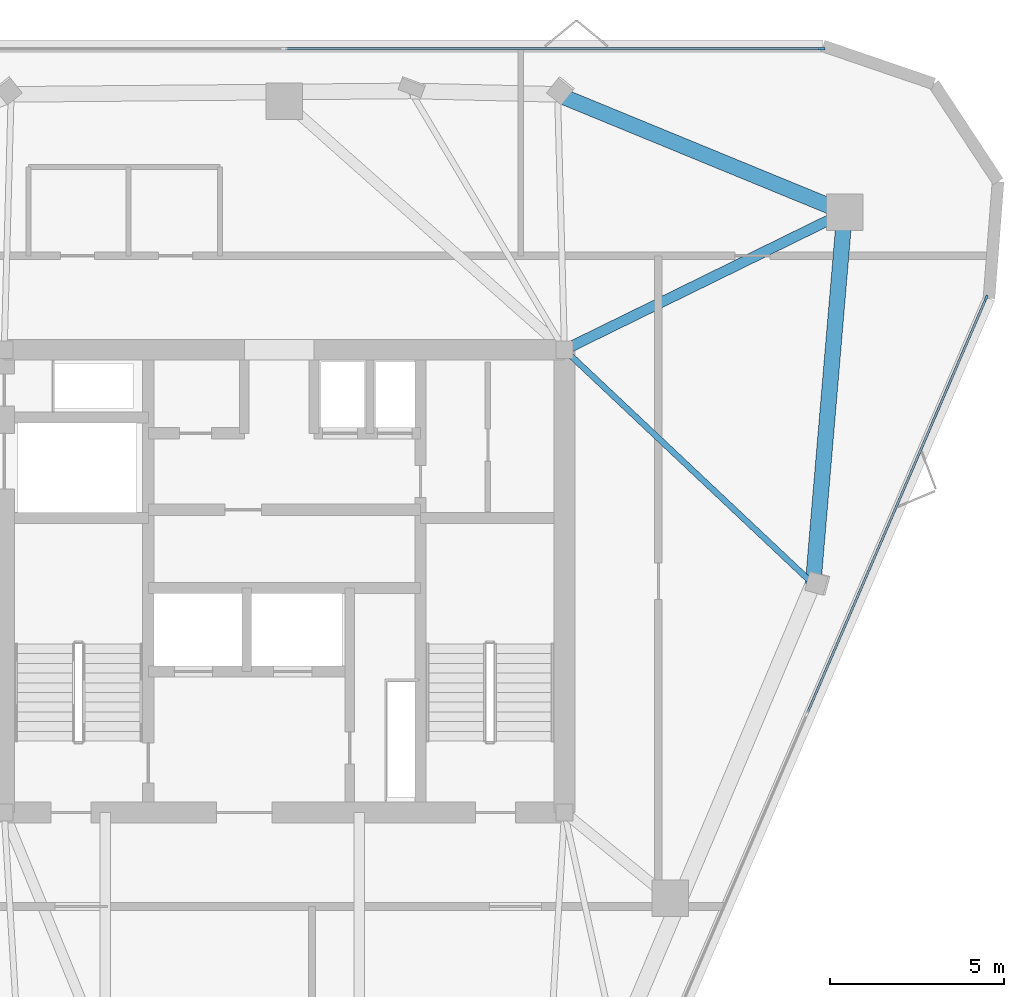
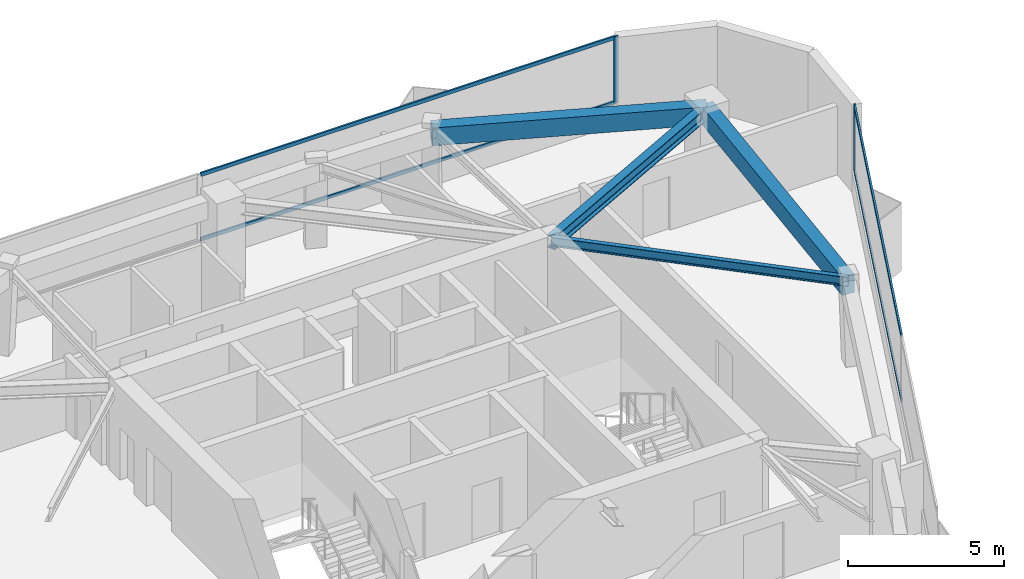
# One storey, part 5 of 9: 6 members, 4 beams, 2 elements without a shape of their own.
"""IFC4 building model written with IfcOpenShell, lengths in metres."""

import ifcopenshell
import ifcopenshell.guid

model = None  # the IFC model being written
_history = None  # IfcOwnerHistory: only IFC2X3 demands one
_inside = {}  # id of a spatial element -> (the spatial element, [elements in it])
_under = {}  # id of a project, library or spatial element -> (it, [spatial elements below it])
_declared = {}  # id of a project -> (the project, [libraries it declares])
_typed = {}  # id of a type object -> (the type object, [elements of that type])
_made_of = {}  # id of a material, layer set ... -> (it, [elements and type objects made of it])


def new_model(schema):
    """Start an empty IFC model of exactly this schema.

    Asked for "IFC4X3", IfcOpenShell would pick the latest addendum, in which some entities
    have other attributes; the version numbers below select the first issue.
    IFC2X3 requires an IfcOwnerHistory on every rooted entity: one is made here for all.
    """
    global model, _history
    if schema == "IFC4X3":
        model = ifcopenshell.file(schema_version=(4, 3, 0, 0))
    else:
        model = ifcopenshell.file(schema=schema)
    _inside.clear()
    _under.clear()
    _declared.clear()
    _typed.clear()
    _made_of.clear()
    _history = None
    if model.schema == "IFC2X3":
        org = make("IfcOrganization", Name="unknown")
        user = make(
            "IfcPersonAndOrganization",
            ThePerson=make("IfcPerson", FamilyName="unknown"),
            TheOrganization=org,
        )
        app = make(
            "IfcApplication",
            ApplicationDeveloper=org,
            Version="unknown",
            ApplicationFullName="unknown",
            ApplicationIdentifier="unknown",
        )
        _history = make(
            "IfcOwnerHistory",
            OwningUser=user,
            OwningApplication=app,
            ChangeAction="ADDED",
            CreationDate=0,
        )
    return model


def make(cls, **values):
    """One entity of the class cls with the attributes given. An attribute that is None is left unset."""
    return model.create_entity(
        cls, **{name: value for name, value in values.items() if value is not None}
    )


def rooted(cls, **values):
    """An entity with a GlobalId (a new one), such as an element, a storey or a relation."""
    return make(cls, GlobalId=ifcopenshell.guid.new(), OwnerHistory=_history, **values)


def si_unit(unit_type, name, prefix=None):
    """IfcSIUnit, for example si_unit("LENGTHUNIT", "METRE", prefix="MILLI")."""
    return make("IfcSIUnit", UnitType=unit_type, Prefix=prefix, Name=name)


def assignment(units):
    """IfcUnitAssignment: the units of a project."""
    return None if units is None else make("IfcUnitAssignment", Units=units)


def point(xyz):
    """IfcCartesianPoint."""
    return None if xyz is None else make("IfcCartesianPoint", Coordinates=xyz)


def direction(xyz):
    """IfcDirection."""
    return None if xyz is None else make("IfcDirection", DirectionRatios=xyz)


def frame(location, z_axis=None, x_axis=None):
    """IfcAxis2Placement3D, a coordinate frame: its origin and axes. An axis left out is left unset."""
    return make(
        "IfcAxis2Placement3D",
        Location=point(location),
        Axis=direction(z_axis),
        RefDirection=direction(x_axis),
    )


def frame_2d(location, x_axis=None):
    """IfcAxis2Placement2D, a coordinate frame in the plane: its origin and x axis."""
    return make(
        "IfcAxis2Placement2D", Location=point(location), RefDirection=direction(x_axis)
    )


def origin():
    """The frame at (0, 0, 0) with its axes left unset."""
    return frame((0.0, 0.0, 0.0))


def origin_2d():
    """The frame at (0, 0) in the plane with its x axis left unset."""
    return frame_2d((0.0, 0.0))


def place(relative_to, where):
    """IfcLocalPlacement: puts the frame where relative to a parent placement (None: the world)."""
    return make(
        "IfcLocalPlacement", PlacementRelTo=relative_to, RelativePlacement=where
    )


def context(
    kind, dimensions, precision=None, world=None, true_north=None, identifier=None
):
    """IfcGeometricRepresentationContext, for example the 3D "Model" context."""
    return make(
        "IfcGeometricRepresentationContext",
        ContextIdentifier=identifier,
        ContextType=kind,
        CoordinateSpaceDimension=dimensions,
        Precision=precision,
        WorldCoordinateSystem=world,
        TrueNorth=true_north,
    )


def subcontext(parent, identifier, kind, view, scale=None):
    """IfcGeometricRepresentationSubContext, for example "Body" below "Model"."""
    return make(
        "IfcGeometricRepresentationSubContext",
        ContextIdentifier=identifier,
        ContextType=kind,
        ParentContext=parent,
        TargetScale=scale,
        TargetView=view,
    )


def project(units=None, contexts=None):
    """IfcProject with its units and contexts."""
    return rooted(
        "IfcProject",
        Name="project",
        RepresentationContexts=contexts,
        UnitsInContext=assignment(units),
    )


def spatial(cls, under=None, at=None, **own):
    """A site, building, storey or space (cls), placed at a placement, below another one or the project."""
    s = rooted(cls, ObjectPlacement=at, **own)
    if under is not None:
        _under.setdefault(under.id(), (under, []))[1].append(s)
    return s


def profile(cls, at=None, kind="AREA", **sizes):
    """A parametric profile (cls). Its sizes go by their IFC names, for example OverallWidth=200.0."""
    return make(cls, ProfileType=kind, Position=at, **sizes)


def rectangle(**sizes):
    """IfcRectangleProfileDef."""
    return profile("IfcRectangleProfileDef", **sizes)


def i_section(**sizes):
    """IfcIShapeProfileDef."""
    return profile("IfcIShapeProfileDef", **sizes)


def extrude(swept, where, along, depth):
    """IfcExtrudedAreaSolid: the profile swept, set in the frame where, extruded along a direction by depth."""
    return make(
        "IfcExtrudedAreaSolid",
        SweptArea=swept,
        Position=where,
        ExtrudedDirection=direction(along),
        Depth=depth,
    )


def shape(context_of_items, identifier, shape_type, items):
    """IfcShapeRepresentation: the items that make up one representation, for example the "Body"."""
    return make(
        "IfcShapeRepresentation",
        ContextOfItems=context_of_items,
        RepresentationIdentifier=identifier,
        RepresentationType=shape_type,
        Items=items,
    )


def material(Name=None, Category=None):
    """IfcMaterial."""
    return make("IfcMaterial", Name=Name, Category=Category)


def layer(
    of_material, thickness, ventilated=None, Name=None, Category=None, Priority=None
):
    """IfcMaterialLayer: one layer of a wall or slab, of a material (None: an air gap)."""
    return make(
        "IfcMaterialLayer",
        Material=of_material,
        LayerThickness=thickness,
        IsVentilated=ventilated,
        Name=Name,
        Category=Category,
        Priority=Priority,
    )


def layer_set(layers, Name=None):
    """IfcMaterialLayerSet."""
    return make("IfcMaterialLayerSet", MaterialLayers=layers, LayerSetName=Name)


def material_profile(
    of_material, cross_section, Name=None, Category=None, Priority=None
):
    """IfcMaterialProfile: a cross section and its material."""
    return make(
        "IfcMaterialProfile",
        Name=Name,
        Material=of_material,
        Profile=cross_section,
        Priority=Priority,
        Category=Category,
    )


def profile_set(profiles, Name=None, composite=None):
    """IfcMaterialProfileSet."""
    return make(
        "IfcMaterialProfileSet",
        Name=Name,
        MaterialProfiles=profiles,
        CompositeProfile=composite,
    )


def made_of(thing, what):
    """Note that an element or type object is made of a material, layer set ...; save() writes the relation."""
    if what is not None:
        _made_of.setdefault(what.id(), (what, []))[1].append(thing)
    return thing


def type_object(cls, material=None, **own):
    """A type object (cls), such as IfcWallType, which elements share."""
    return made_of(rooted(cls, **own), material)


def element(
    cls,
    number,
    at=None,
    inside=None,
    cuts=None,
    type_object=None,
    material=None,
    context=None,
    identifier="Body",
    shape_type=None,
    held_by="IfcProductDefinitionShape",
    body=None,
    shapes=None,
    **own,
):
    """One element of the class cls, such as IfcWall. Its Tag is "e" and its number.

    at: its placement. inside: the storey or other place that contains it. cuts: it is an
    opening in that element (IfcRelVoidsElement). A single representation is given by context,
    identifier, shape_type and body (its items); several are given by shapes. held_by: the class
    of the entity that holds the representations. save() writes the other relations.
    """
    e = rooted(cls, Tag="e%d" % number, ObjectPlacement=at, **own)
    if body is not None:
        shapes = [shape(context, identifier, shape_type, body)]
    if shapes is not None:
        e.Representation = make(held_by, Representations=shapes)
    if inside is not None:
        _inside.setdefault(inside.id(), (inside, []))[1].append(e)
    if cuts is not None:
        rooted(
            "IfcRelVoidsElement", RelatingBuildingElement=cuts, RelatedOpeningElement=e
        )
    if type_object is not None:
        _typed.setdefault(type_object.id(), (type_object, []))[1].append(e)
    return made_of(e, material)


def aggregate(whole, parts):
    """IfcRelAggregates: a whole, such as a stair, and the parts it consists of."""
    return rooted("IfcRelAggregates", RelatingObject=whole, RelatedObjects=parts)


def save(model, path):
    """Write the relations noted so far, then the file.

    IfcRelAggregates (storeys below a building ...), IfcRelContainedInSpatialStructure (elements
    in a storey), IfcRelDefinesByType, IfcRelAssociatesMaterial and IfcRelDeclares: one each for
    every whole, place, type object, material and project.
    """
    for whole, parts in _under.values():
        aggregate(whole, parts)
    for where, things in _inside.values():
        rooted(
            "IfcRelContainedInSpatialStructure",
            RelatedElements=things,
            RelatingStructure=where,
        )
    for kind, things in _typed.values():
        rooted("IfcRelDefinesByType", RelatedObjects=things, RelatingType=kind)
    for what, things in _made_of.values():
        rooted("IfcRelAssociatesMaterial", RelatedObjects=things, RelatingMaterial=what)
    for by, libraries in _declared.values():
        rooted("IfcRelDeclares", RelatingContext=by, RelatedDefinitions=libraries)
    model.write(path)


model = new_model("IFC4")

# Units and contexts
model_context = context("Model", 3, precision=1e-05, world=origin(), true_north=direction((0.0, 1.0)))
body_context = subcontext(model_context, "Body", "Model", "MODEL_VIEW")
ifc_project = project(units=[si_unit("LENGTHUNIT", "METRE"), si_unit("AREAUNIT", "SQUARE_METRE"), si_unit("VOLUMEUNIT", "CUBIC_METRE"), si_unit("PLANEANGLEUNIT", "RADIAN"), si_unit("MASSUNIT", "GRAM", prefix="KILO")], contexts=[model_context])

# Site, building, storey
site_placement = place(None, origin())
site = spatial("IfcSite", under=ifc_project, at=site_placement, CompositionType="ELEMENT")
building_placement = place(site_placement, origin())
building = spatial("IfcBuilding", under=site, at=building_placement, Name="Talyreon Biosciences Tower", CompositionType="ELEMENT")
storey_placement = place(building_placement, frame((0.0, 0.0, 309.35009765625)))
storey = spatial("IfcBuildingStorey", under=building, at=storey_placement, Name="L82", CompositionType="ELEMENT", Elevation=309.35009765625)

# Curtain wall, member
ifc_material_1 = material(Name="Thermally broken aluminium and low-E glazing", Category="aluminium")
ifc_layer = layer(ifc_material_1, 0.175048828125)
ifc_layer_set = layer_set([ifc_layer], Name="Thermally broken aluminium and low-E glazing")
curtain_wall_type = type_object("IfcCurtainWallType", Name="CurtainWall_Zone5CompLab", PredefinedType="NOTDEFINED", material=ifc_layer_set)
curtain_wall_1_placement = place(storey_placement, origin())
curtain_wall_1 = element("IfcCurtainWall", 1, at=curtain_wall_1_placement, inside=storey, type_object=curtain_wall_type, Name="L82 Unitised Curtain Wall FCW-L82-04", PredefinedType="NOTDEFINED")
ifc_material_2 = material(Name="Anodised thermally broken aluminium", Category="aluminium")
ifc_material_profile_1 = material_profile(ifc_material_2, rectangle(XDim=0.06494140625, YDim=0.179931640625, at=origin_2d()), Name="ALUM MULLION 65x180")
ifc_profile_set_1 = profile_set([ifc_material_profile_1], Name="Anodised thermally broken aluminium")
member_type_1 = type_object("IfcMemberType", Name="CWMullion_65x180", PredefinedType="MULLION", material=ifc_profile_set_1)
member_1_placement = place(storey_placement, frame((81.4443359375, 83.303466796875, 0.809814453125), z_axis=(0.0, 0.0, 1.0), x_axis=(0.0, 1.0, 0.0)))
member_1 = element("IfcMember", 2, at=member_1_placement, type_object=member_type_1, Name="CW6 mullion 3", PredefinedType="MULLION", context=body_context, shape_type="SweptSolid", body=[
    extrude(rectangle(XDim=0.06494140625, YDim=0.179931640625, at=origin_2d()), origin(), (0.0, 0.0, 1.0), 2.60498046875),
])

curtain_wall_2_placement = place(storey_placement, origin())
curtain_wall_2 = element("IfcCurtainWall", 3, at=curtain_wall_2_placement, inside=storey, type_object=curtain_wall_type, Name="L82 Unitised Curtain Wall FCW-L82-08", PredefinedType="NOTDEFINED")
member_2_placement = place(storey_placement, frame((86.166015625, 76.12744140625, 0.809814453125), z_axis=(0.0, 0.0, 1.0), x_axis=(0.918363311246, -0.395738333444, 0.0)))
member_2 = element("IfcMember", 4, at=member_2_placement, type_object=member_type_1, Name="CW6 mullion 1", PredefinedType="MULLION", context=body_context, shape_type="SweptSolid", body=[
    extrude(rectangle(XDim=0.06494140625, YDim=0.179931640625, at=origin_2d()), origin(), (0.0, 0.0, 1.0), 2.60498046875),
])

# Member
ifc_material_profile_2 = material_profile(ifc_material_2, rectangle(XDim=0.06494140625, YDim=0.139892578125, at=origin_2d()), Name="ALUM TRANSOM 65x140")
ifc_profile_set_2 = profile_set([ifc_material_profile_2], Name="Anodised thermally broken aluminium")
member_type_2 = type_object("IfcMemberType", Name="CWTransom_65x140", PredefinedType="USERDEFINED", material=ifc_profile_set_2)
member_3_placement = place(storey_placement, frame((66.032470703125, 83.303466796875, 0.84228515625), z_axis=(1.0, 0.0, 0.0), x_axis=(0.0, 1.0, 0.0)))
member_3 = element("IfcMember", 5, at=member_3_placement, type_object=member_type_2, Name="CW6 transom 2.1", ObjectType="TRANSOM", PredefinedType="USERDEFINED", context=body_context, shape_type="SweptSolid", body=[
    extrude(rectangle(XDim=0.06494140625, YDim=0.139892578125, at=origin_2d()), origin(), (0.0, 0.0, 1.0), 15.37939453125),
])

member_4_placement = place(storey_placement, frame((66.032470703125, 83.303466796875, 3.38232421875), z_axis=(1.0, 0.0, 0.0), x_axis=(0.0, 1.0, 0.0)))
member_4 = element("IfcMember", 6, at=member_4_placement, type_object=member_type_2, Name="CW6 transom 2.2", ObjectType="TRANSOM", PredefinedType="USERDEFINED", context=body_context, shape_type="SweptSolid", body=[
    extrude(rectangle(XDim=0.06494140625, YDim=0.139892578125, at=origin_2d()), origin(), (0.0, 0.0, 1.0), 15.37939453125),
])

aggregate(curtain_wall_1, [member_1, member_3, member_4])

member_5_placement = place(storey_placement, frame((86.153076171875, 76.09765625, 0.84228515625), z_axis=(-0.395735791356, -0.918364406671, 0.0), x_axis=(0.918364406671, -0.395735791356, 0.0)))
member_5 = element("IfcMember", 7, at=member_5_placement, type_object=member_type_2, Name="CW6 transom 1.1", ObjectType="TRANSOM", PredefinedType="USERDEFINED", context=body_context, shape_type="SweptSolid", body=[
    extrude(rectangle(XDim=0.06494140625, YDim=0.139892578125, at=origin_2d()), origin(), (0.0, 0.0, 1.0), 12.938720703125),
])

member_6_placement = place(storey_placement, frame((86.153076171875, 76.09765625, 3.38232421875), z_axis=(-0.395735791356, -0.918364406671, 0.0), x_axis=(0.918364406671, -0.395735791356, 0.0)))
member_6 = element("IfcMember", 8, at=member_6_placement, type_object=member_type_2, Name="CW6 transom 1.2", ObjectType="TRANSOM", PredefinedType="USERDEFINED", context=body_context, shape_type="SweptSolid", body=[
    extrude(rectangle(XDim=0.06494140625, YDim=0.139892578125, at=origin_2d()), origin(), (0.0, 0.0, 1.0), 12.938720703125),
])

aggregate(curtain_wall_2, [member_2, member_5, member_6])

# Beams
ifc_material_3 = material(Name="Precast concrete C45/55", Category="concrete")
ifc_material_profile_3 = material_profile(ifc_material_3, rectangle(XDim=0.449951171875, YDim=0.699951171875, at=origin_2d()), Name="RCB 450x700")
ifc_profile_set_3 = profile_set([ifc_material_profile_3], Name="Precast concrete C45/55")
beam_type_1 = type_object("IfcBeamType", Name="ExpressedSpandrel_450x700", PredefinedType="SPANDREL", material=ifc_profile_set_3)
beam_1_placement = place(storey_placement, frame((81.19580078125, 67.920166015625, 3.06494140625), z_axis=(0.084585687461, 0.996416208959, 0.0), x_axis=(-0.996416208959, 0.084585687461, 0.0)))
element("IfcBeam", 9, at=beam_1_placement, inside=storey, type_object=beam_type_1, Name="L82 Expressed Horizontal Concrete Spandrel 04", PredefinedType="SPANDREL", context=body_context, shape_type="SweptSolid", body=[
    extrude(rectangle(XDim=0.449951171875, YDim=0.699951171875, at=origin_2d()), origin(), (0.0, 0.0, 1.0), 10.716796875),
])
beam_2_placement = place(storey_placement, frame((82.102294921875, 78.5986328125, 3.06494140625), z_axis=(-0.924945424945, 0.380099935377, 0.0), x_axis=(-0.380099935377, -0.924945424945, 0.0)))
element("IfcBeam", 10, at=beam_2_placement, inside=storey, type_object=beam_type_1, Name="L82 Expressed Horizontal Concrete Spandrel 05", PredefinedType="SPANDREL", context=body_context, shape_type="SweptSolid", body=[
    extrude(rectangle(XDim=0.449951171875, YDim=0.699951171875, at=origin_2d()), origin(), (0.0, 0.0, 1.0), 8.919677734375),
])
ifc_material_4 = material(Name="Steel SM355", Category="steel")
ifc_material_profile_4 = material_profile(ifc_material_4, i_section(OverallWidth=0.300048828125, OverallDepth=0.5, WebThickness=0.014404296875, FlangeThickness=0.028076171875, FilletRadius=0.027099609375, at=origin_2d()), Name="HE500B")
ifc_profile_set_4 = profile_set([ifc_material_profile_4], Name="Steel SM355")
beam_type_2 = type_object("IfcBeamType", Name="SteelBeam_HE500B", PredefinedType="BEAM", material=ifc_profile_set_4)
beam_3_placement = place(storey_placement, frame((74.050048828125, 74.64990234375, 3.164794921875), z_axis=(0.897852360314, 0.440296648952, 0.0), x_axis=(-0.440296648952, 0.897852360314, 0.0)))
element("IfcBeam", 11, at=beam_3_placement, inside=storey, type_object=beam_type_2, Name="L82 Radial Primary Girder 3", PredefinedType="BEAM", context=body_context, shape_type="SweptSolid", body=[
    extrude(i_section(OverallWidth=0.300048828125, OverallDepth=0.5, WebThickness=0.014404296875, FlangeThickness=0.028076171875, FilletRadius=0.027099609375, at=origin_2d()), origin(), (0.0, 0.0, 1.0), 8.96826171875),
])
ifc_material_profile_5 = material_profile(ifc_material_4, i_section(OverallWidth=0.169921875, OverallDepth=0.360107421875, WebThickness=0.008056640625, FlangeThickness=0.0126953125, FilletRadius=0.01806640625, at=origin_2d()), Name="IPE360")
ifc_profile_set_5 = profile_set([ifc_material_profile_5], Name="Steel SM355")
beam_type_3 = type_object("IfcBeamType", Name="SteelJoist_IPE360", PredefinedType="JOIST", material=ifc_profile_set_5)
beam_4_placement = place(storey_placement, frame((74.050048828125, 74.64990234375, 3.23486328125), z_axis=(0.727980168432, -0.685598187257, 0.0), x_axis=(0.685598187257, 0.727980168432, 0.0)))
element("IfcBeam", 12, at=beam_4_placement, inside=storey, type_object=beam_type_3, Name="L82 Radial Composite Floor Joist PC-SE2", PredefinedType="JOIST", context=body_context, shape_type="SweptSolid", body=[
    extrude(i_section(OverallWidth=0.169921875, OverallDepth=0.360107421875, WebThickness=0.008056640625, FlangeThickness=0.0126953125, FilletRadius=0.01806640625, at=origin_2d()), origin(), (0.0, 0.0, 1.0), 9.81591796875),
])

save(model, "model.ifc")
